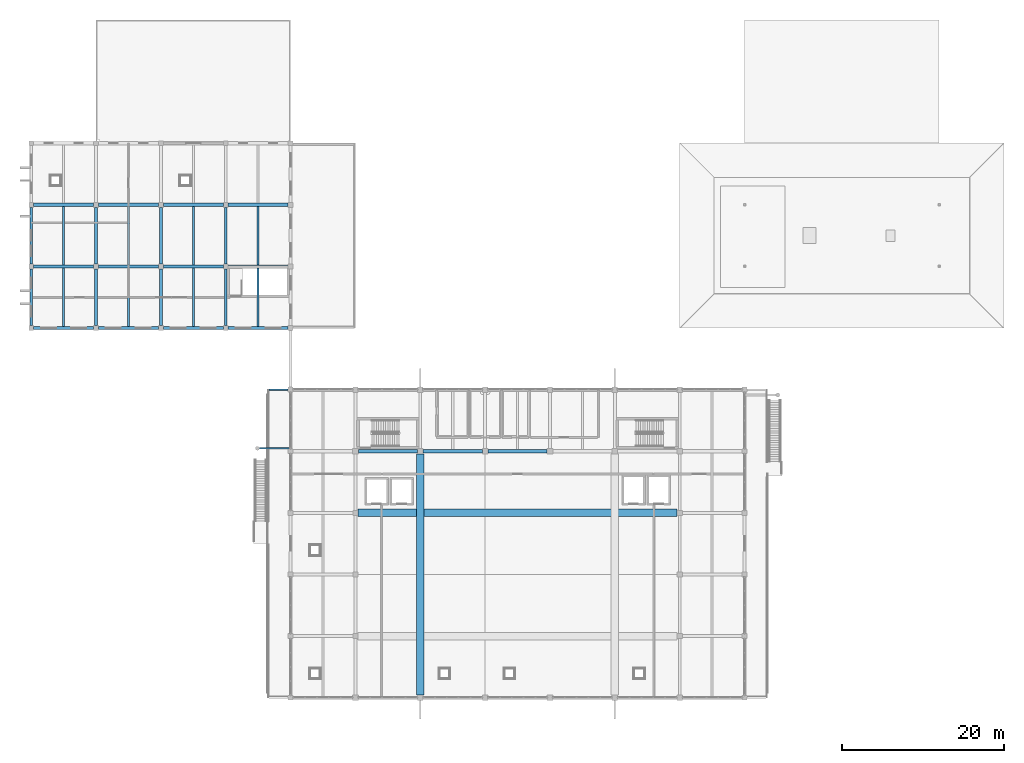
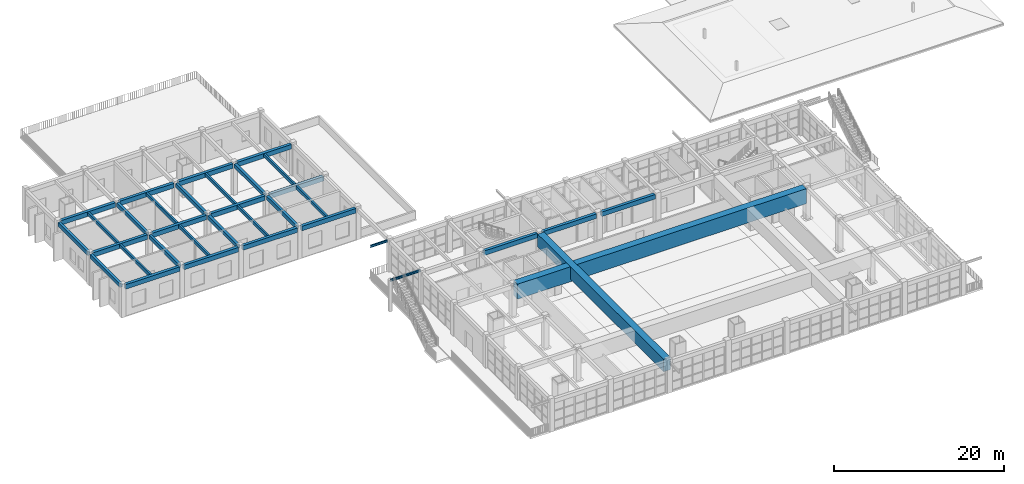
# One storey, part 12 of 50: 35 beams.
"""IFC4 building model written with IfcOpenShell, lengths in metres."""

from ifc_helpers import new_model, si_unit, direction, frame, origin, origin_2d, place, context, subcontext, project, spatial, rectangle, i_section, extrude, material, material_profile, profile_set, type_object, element, save


model = new_model("IFC4")

# Units and contexts
model_context = context("Model", 3, precision=1e-05, world=origin(), true_north=direction((0.0, 1.0)))
body_context = subcontext(model_context, "Body", "Model", "MODEL_VIEW")
ifc_project = project(units=[si_unit("LENGTHUNIT", "METRE"), si_unit("AREAUNIT", "SQUARE_METRE"), si_unit("VOLUMEUNIT", "CUBIC_METRE"), si_unit("PLANEANGLEUNIT", "RADIAN"), si_unit("MASSUNIT", "GRAM", prefix="KILO")], contexts=[model_context])

# Site, building, storey
site_placement = place(None, origin())
site = spatial("IfcSite", under=ifc_project, at=site_placement, CompositionType="ELEMENT")
building_placement = place(site_placement, origin())
building = spatial("IfcBuilding", under=site, at=building_placement, Name="Zantavel Square City Hall", CompositionType="ELEMENT")
storey_placement = place(building_placement, frame((0.0, 0.0, 18.89990234375)))
storey = spatial("IfcBuildingStorey", under=building, at=storey_placement, Name="L05", CompositionType="ELEMENT", Elevation=18.89990234375)

# Beams
ifc_material_1 = material(Name="Concrete C35/45", Category="concrete")
ifc_material_profile_1 = material_profile(ifc_material_1, rectangle(XDim=0.39990234375, YDim=0.64990234375, at=origin_2d()), Name="RC 400x650")
ifc_profile_set_1 = profile_set([ifc_material_profile_1], Name="Concrete C35/45")
beam_type_1 = type_object("IfcBeamType", Name="Frame Beam RC 400x650 C35/45", PredefinedType="BEAM", material=ifc_profile_set_1)
for number, where, z_axis, x_axis, name in (
    (1, (24.300048828125, 76.0, 4.195068359375), (1.0, 0.0, 0.0), (0.0, 1.0, 0.0), "L05 Girder BMX-L05-0240-0760"),
    (2, (24.300048828125, 83.60009765625, 4.195068359375), (1.0, 0.0, 0.0), (0.0, 1.0, 0.0), "L05 Girder BMX-L05-0240-0836"),
    (3, (24.300048828125, 91.199951171875, 4.195068359375), (1.0, 0.0, 0.0), (0.0, 1.0, 0.0), "L05 Girder BMX-L05-0240-0912"),
    (4, (32.300048828125, 76.0, 4.195068359375), (1.0, 0.0, 0.0), (0.0, 1.0, 0.0), "L05 Girder BMX-L05-0320-0760"),
    (5, (32.300048828125, 83.60009765625, 4.195068359375), (1.0, 0.0, 0.0), (0.0, 1.0, 0.0), "L05 Girder BMX-L05-0320-0836"),
    (6, (32.300048828125, 91.199951171875, 4.195068359375), (1.0, 0.0, 0.0), (0.0, 1.0, 0.0), "L05 Girder BMX-L05-0320-0912"),
    (7, (40.300048828125, 76.0, 4.195068359375), (1.0, 0.0, 0.0), (0.0, 1.0, 0.0), "L05 Girder BMX-L05-0400-0760"),
    (8, (40.300048828125, 83.60009765625, 4.195068359375), (1.0, 0.0, 0.0), (0.0, 1.0, 0.0), "L05 Girder BMX-L05-0400-0836"),
    (9, (40.300048828125, 91.199951171875, 4.195068359375), (1.0, 0.0, 0.0), (0.0, 1.0, 0.0), "L05 Girder BMX-L05-0400-0912"),
    (10, (48.300048828125, 76.0, 4.195068359375), (1.0, 0.0, 0.0), (0.0, 1.0, 0.0), "L05 Girder BMX-L05-0480-0760"),
    (11, (48.300048828125, 83.60009765625, 4.195068359375), (1.0, 0.0, 0.0), (0.0, 1.0, 0.0), "L05 Girder BMX-L05-0480-0836"),
    (12, (48.300048828125, 91.199951171875, 4.195068359375), (1.0, 0.0, 0.0), (0.0, 1.0, 0.0), "L05 Girder BMX-L05-0480-0912"),
):
    element("IfcBeam", number, at=place(storey_placement, frame(where, z_axis=z_axis, x_axis=x_axis)), inside=storey, type_object=beam_type_1, Name=name, PredefinedType="BEAM", context=body_context, shape_type="SweptSolid", body=[
        extrude(rectangle(XDim=0.39990234375, YDim=0.64990234375, at=origin_2d()), origin(), (0.0, 0.0, 1.0), 7.39990234375),
    ])
for number, where, z_axis, x_axis, name in (
    (13, (64.35009765625, 60.800048828125, 4.2451171875), (1.0, 0.0, 0.0), (0.0, 1.0, 0.0), "L05 Girder BMX-L05-0640-0608"),
    (14, (72.35009765625, 60.800048828125, 4.2451171875), (1.0, 0.0, 0.0), (0.0, 1.0, 0.0), "L05 Girder BMX-L05-0720-0608"),
    (15, (80.35009765625, 60.800048828125, 4.2451171875), (1.0, 0.0, 0.0), (0.0, 1.0, 0.0), "L05 Girder BMX-L05-0800-0608"),
):
    element("IfcBeam", number, at=place(storey_placement, frame(where, z_axis=z_axis, x_axis=x_axis)), inside=storey, type_object=beam_type_1, Name=name, PredefinedType="BEAM", context=body_context, shape_type="SweptSolid", body=[
        extrude(rectangle(XDim=0.39990234375, YDim=0.64990234375, at=origin_2d()), origin(), (0.0, 0.0, 1.0), 7.2998046875),
    ])
ifc_material_2 = material(Name="Concrete C40/50", Category="concrete")
ifc_material_profile_2 = material_profile(ifc_material_2, rectangle(XDim=0.949951171875, YDim=2.14990234375, at=origin_2d()), Name="RC 950x2150")
ifc_profile_set_2 = profile_set([ifc_material_profile_2], Name="Concrete C40/50")
beam_type_2 = type_object("IfcBeamType", Name="Gallery Ring Transfer Girder RC 950x2150 C40/50", PredefinedType="BEAM", material=ifc_profile_set_2)
beam_1_placement = place(storey_placement, frame((64.324951171875, 53.199951171875, 3.4951171875), z_axis=(1.0, 0.0, 0.0), x_axis=(0.0, 1.0, 0.0)))
element("IfcBeam", 16, at=beam_1_placement, inside=storey, type_object=beam_type_2, Name="L06 Public Gallery Ring Girder GAL-EW-N", PredefinedType="BEAM", context=body_context, shape_type="SweptSolid", body=[
    extrude(rectangle(XDim=0.949951171875, YDim=2.14990234375, at=origin_2d()), origin(), (0.0, 0.0, 1.0), 39.35009765625),
])
ifc_material_profile_3 = material_profile(ifc_material_1, rectangle(XDim=0.25, YDim=0.449951171875, at=origin_2d()), Name="RC 250x450")
ifc_profile_set_3 = profile_set([ifc_material_profile_3], Name="Concrete C35/45")
beam_type_3 = type_object("IfcBeamType", Name="Light Floor Joist RC 250x450 C35/45", PredefinedType="JOIST", material=ifc_profile_set_3)
for number, where, z_axis, x_axis, name in (
    (17, (28.0, 76.199951171875, 4.295166015625), (0.0, 1.0, 0.0), (-1.0, 0.0, 0.0), "L05 Floor Joist JST-L05-0280-0760"),
    (18, (28.0, 83.800048828125, 4.295166015625), (0.0, 1.0, 0.0), (-1.0, 0.0, 0.0), "L05 Floor Joist JST-L05-0280-0836"),
    (19, (36.0, 76.199951171875, 4.295166015625), (0.0, 1.0, 0.0), (-1.0, 0.0, 0.0), "L05 Floor Joist JST-L05-0360-0760"),
    (20, (36.0, 83.800048828125, 4.295166015625), (0.0, 1.0, 0.0), (-1.0, 0.0, 0.0), "L05 Floor Joist JST-L05-0360-0836"),
    (21, (44.0, 76.199951171875, 4.295166015625), (0.0, 1.0, 0.0), (-1.0, 0.0, 0.0), "L05 Floor Joist JST-L05-0440-0760"),
    (22, (44.0, 83.800048828125, 4.295166015625), (0.0, 1.0, 0.0), (-1.0, 0.0, 0.0), "L05 Floor Joist JST-L05-0440-0836"),
    (23, (52.0, 76.199951171875, 4.295166015625), (0.0, 1.0, 0.0), (-1.0, 0.0, 0.0), "L05 Floor Joist JST-L05-0520-0760"),
    (24, (52.0, 83.800048828125, 4.295166015625), (0.0, 1.0, 0.0), (-1.0, 0.0, 0.0), "L05 Floor Joist JST-L05-0520-0836"),
):
    element("IfcBeam", number, at=place(storey_placement, frame(where, z_axis=z_axis, x_axis=x_axis)), inside=storey, type_object=beam_type_3, Name=name, PredefinedType="JOIST", context=body_context, shape_type="SweptSolid", body=[
        extrude(rectangle(XDim=0.25, YDim=0.449951171875, at=origin_2d()), origin(), (0.0, 0.0, 1.0), 7.199951171875),
    ])
ifc_material_profile_4 = material_profile(ifc_material_1, rectangle(XDim=0.35009765625, YDim=0.550048828125, at=origin_2d()), Name="RC 350x550")
ifc_profile_set_4 = profile_set([ifc_material_profile_4], Name="Concrete C35/45")
beam_type_4 = type_object("IfcBeamType", Name="Secondary Beam RC 350x550 C35/45", PredefinedType="BEAM", material=ifc_profile_set_4)
for number, where, z_axis, x_axis, name in (
    (25, (24.0, 76.300048828125, 4.2451171875), (0.0, 1.0, 0.0), (-1.0, 0.0, 0.0), "L05 Beam BMY-L05-0240-0760"),
    (26, (24.0, 83.89990234375, 4.2451171875), (0.0, 1.0, 0.0), (-1.0, 0.0, 0.0), "L05 Beam BMY-L05-0240-0836"),
    (27, (32.0, 76.300048828125, 4.2451171875), (0.0, 1.0, 0.0), (-1.0, 0.0, 0.0), "L05 Beam BMY-L05-0320-0760"),
    (28, (32.0, 83.89990234375, 4.2451171875), (0.0, 1.0, 0.0), (-1.0, 0.0, 0.0), "L05 Beam BMY-L05-0320-0836"),
    (29, (40.0, 76.300048828125, 4.2451171875), (0.0, 1.0, 0.0), (-1.0, 0.0, 0.0), "L05 Beam BMY-L05-0400-0760"),
    (30, (40.0, 83.89990234375, 4.2451171875), (0.0, 1.0, 0.0), (-1.0, 0.0, 0.0), "L05 Beam BMY-L05-0400-0836"),
    (31, (48.0, 76.300048828125, 4.2451171875), (0.0, 1.0, 0.0), (-1.0, 0.0, 0.0), "L05 Beam BMY-L05-0480-0760"),
    (32, (48.0, 83.89990234375, 4.2451171875), (0.0, 1.0, 0.0), (-1.0, 0.0, 0.0), "L05 Beam BMY-L05-0480-0836"),
):
    element("IfcBeam", number, at=place(storey_placement, frame(where, z_axis=z_axis, x_axis=x_axis)), inside=storey, type_object=beam_type_4, Name=name, PredefinedType="BEAM", context=body_context, shape_type="SweptSolid", body=[
        extrude(rectangle(XDim=0.35009765625, YDim=0.550048828125, at=origin_2d()), origin(), (0.0, 0.0, 1.0), 7.0),
    ])
ifc_material_profile_5 = material_profile(ifc_material_2, rectangle(XDim=0.89990234375, YDim=1.800048828125, at=origin_2d()), Name="RC 900x1800")
ifc_profile_set_5 = profile_set([ifc_material_profile_5], Name="Concrete C40/50")
beam_type_5 = type_object("IfcBeamType", Name="Transfer Girder RC 900x1800 C40/50", PredefinedType="BEAM", material=ifc_profile_set_5)
beam_2_placement = place(storey_placement, frame((72.0, 30.75, 3.670166015625), z_axis=(0.0, 1.0, 0.0), x_axis=(-1.0, 0.0, 0.0)))
element("IfcBeam", 33, at=beam_2_placement, inside=storey, type_object=beam_type_5, Name="L06 Public Gallery Ring Girder GAL-NS-W", PredefinedType="BEAM", context=body_context, shape_type="SweptSolid", body=[
    extrude(rectangle(XDim=0.89990234375, YDim=1.800048828125, at=origin_2d()), origin(), (0.0, 0.0, 1.0), 29.699951171875),
])
ifc_material_3 = material(Name="Steel ASTM A992 Grade 50", Category="steel")
ifc_material_profile_6 = material_profile(ifc_material_3, i_section(OverallWidth=0.1669921875, OverallDepth=0.31689453125, WebThickness=0.007568359375, FlangeThickness=0.01318359375, at=origin_2d()), Name="W310x52")
ifc_profile_set_6 = profile_set([ifc_material_profile_6], Name="Steel ASTM A992 Grade 50")
beam_type_6 = type_object("IfcBeamType", Name="Tray Corner Cantilever Outrigger W310x52", PredefinedType="BEAM", material=ifc_profile_set_6)
beam_3_placement = place(storey_placement, frame((55.699951171875, 68.39990234375, 4.361572265625), z_axis=(-1.0, 0.0, 0.0), x_axis=(0.0, -1.0, 0.0)))
element("IfcBeam", 34, at=beam_3_placement, inside=storey, type_object=beam_type_6, Name="L05 Cantera Tray Outrigger NW", PredefinedType="BEAM", context=body_context, shape_type="SweptSolid", body=[
    extrude(i_section(OverallWidth=0.1669921875, OverallDepth=0.31689453125, WebThickness=0.007568359375, FlangeThickness=0.01318359375, at=origin_2d()), origin(), (0.0, 0.0, 1.0), 2.349853515625),
])
ifc_material_profile_7 = material_profile(ifc_material_3, i_section(OverallWidth=0.202880859375, OverallDepth=0.302978515625, WebThickness=0.007568359375, FlangeThickness=0.01318359375, at=origin_2d()), Name="W310x60")
ifc_profile_set_7 = profile_set([ifc_material_profile_7], Name="Steel ASTM A992 Grade 50")
beam_type_7 = type_object("IfcBeamType", Name="Tray Edge Steel Beam W310x60", PredefinedType="BEAM", material=ifc_profile_set_7)
beam_4_placement = place(storey_placement, frame((56.0, 61.169921875, 4.37158203125), z_axis=(-1.0, 0.0, 0.0), x_axis=(0.0, -1.0, 0.0)))
element("IfcBeam", 35, at=beam_4_placement, inside=storey, type_object=beam_type_7, Name="ST-TR6 L06 Landing Support Beam", PredefinedType="BEAM", context=body_context, shape_type="SweptSolid", body=[
    extrude(i_section(OverallWidth=0.202880859375, OverallDepth=0.302978515625, WebThickness=0.007568359375, FlangeThickness=0.01318359375, at=origin_2d()), origin(), (0.0, 0.0, 1.0), 4.10009765625),
])

save(model, "model.ifc")
